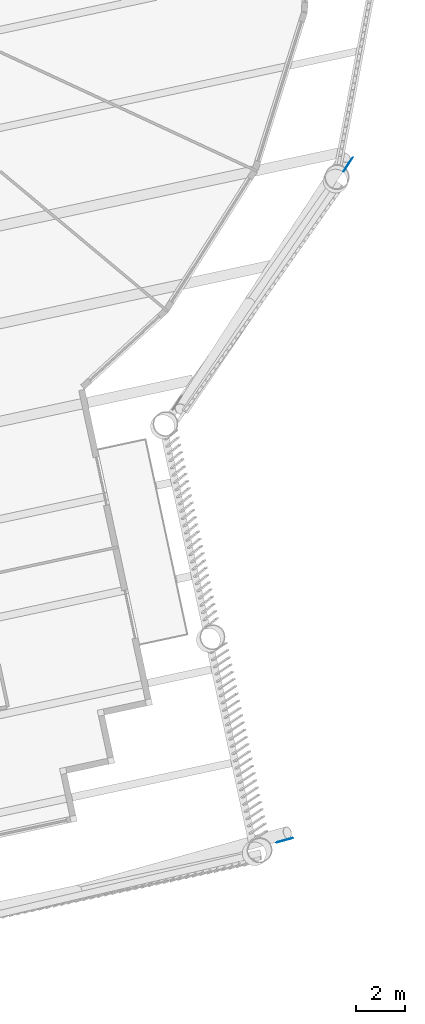
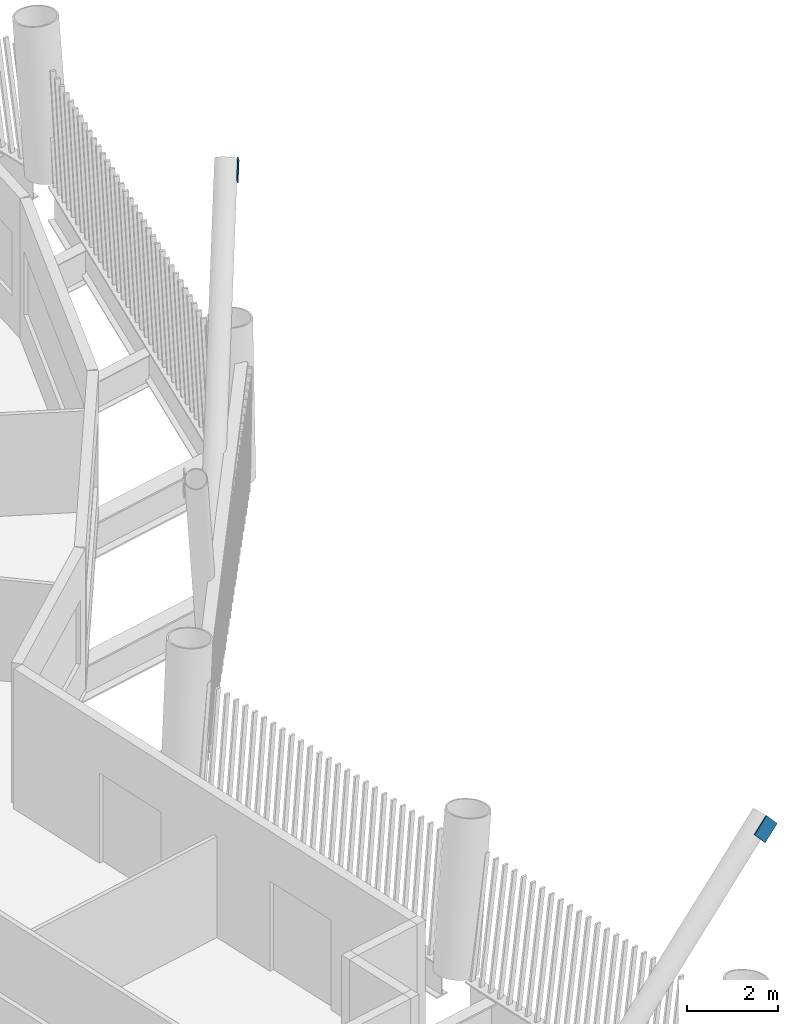
# One storey, part 8 of 21: 2 discrete accessories.
"""IFC4 building model written with IfcOpenShell, lengths in metres."""

from ifc_helpers import new_model, si_unit, direction, frame, origin, origin_2d, place, context, subcontext, project, spatial, rectangle, extrude, material, material_profile, profile_set, type_object, element, save


model = new_model("IFC4")

# Units and contexts
model_context = context("Model", 3, precision=1e-05, world=origin(), true_north=direction((0.0, 1.0)))
body_context = subcontext(model_context, "Body", "Model", "MODEL_VIEW")
ifc_project = project(units=[si_unit("LENGTHUNIT", "METRE"), si_unit("AREAUNIT", "SQUARE_METRE"), si_unit("VOLUMEUNIT", "CUBIC_METRE"), si_unit("PLANEANGLEUNIT", "RADIAN"), si_unit("MASSUNIT", "GRAM", prefix="KILO")], contexts=[model_context])

# Site, building, storey
site_placement = place(None, origin())
site = spatial("IfcSite", under=ifc_project, at=site_placement, CompositionType="ELEMENT")
building_placement = place(site_placement, origin())
building = spatial("IfcBuilding", under=site, at=building_placement, Name="Tarsis Ring Headquarters", CompositionType="ELEMENT")
storey_placement = place(building_placement, frame((0.0, 0.0, 278.60009765625)))
storey = spatial("IfcBuildingStorey", under=building, at=storey_placement, Name="L65", CompositionType="ELEMENT", Elevation=278.60009765625)

# Discrete accessories
ifc_material = material(Name="Structural steel S355", Category="steel")
ifc_material_profile = material_profile(ifc_material, rectangle(XDim=0.02490234375, YDim=0.5, at=origin_2d()), Name="PL 25x500")
ifc_profile_set = profile_set([ifc_material_profile], Name="Structural steel S355")
discrete_accessory_type = type_object("IfcDiscreteAccessoryType", Name="Gusset plate Exo brace 25", PredefinedType="BRACKET", material=ifc_profile_set)
discrete_accessory_1_placement = place(storey_placement, frame((24.86572265625, -38.153076171875, 7.7998046875), z_axis=(-0.724450896175, -0.202240506417, -0.65899140859), x_axis=(0.268883043456, -0.963172834408, 0.0)))
element("IfcDiscreteAccessory", 1, at=discrete_accessory_1_placement, inside=storey, type_object=discrete_accessory_type, Name="Gusset plate GP5", PredefinedType="BRACKET", context=body_context, shape_type="SweptSolid", body=[
    extrude(rectangle(XDim=0.02490234375, YDim=0.5, at=origin_2d()), origin(), (0.0, 0.0, 1.0), 0.499755859375),
])
discrete_accessory_2_placement = place(storey_placement, frame((27.35888671875, -10.51220703125, 7.7998046875), z_axis=(-0.369121880301, -0.563936206016, -0.738732017058), x_axis=(0.836701516894, -0.547659174694, 0.0)))
element("IfcDiscreteAccessory", 2, at=discrete_accessory_2_placement, inside=storey, type_object=discrete_accessory_type, Name="Gusset plate GP5", PredefinedType="BRACKET", context=body_context, shape_type="SweptSolid", body=[
    extrude(rectangle(XDim=0.02490234375, YDim=0.5, at=origin_2d()), origin(), (0.0, 0.0, 1.0), 0.5),
])

save(model, "model.ifc")
